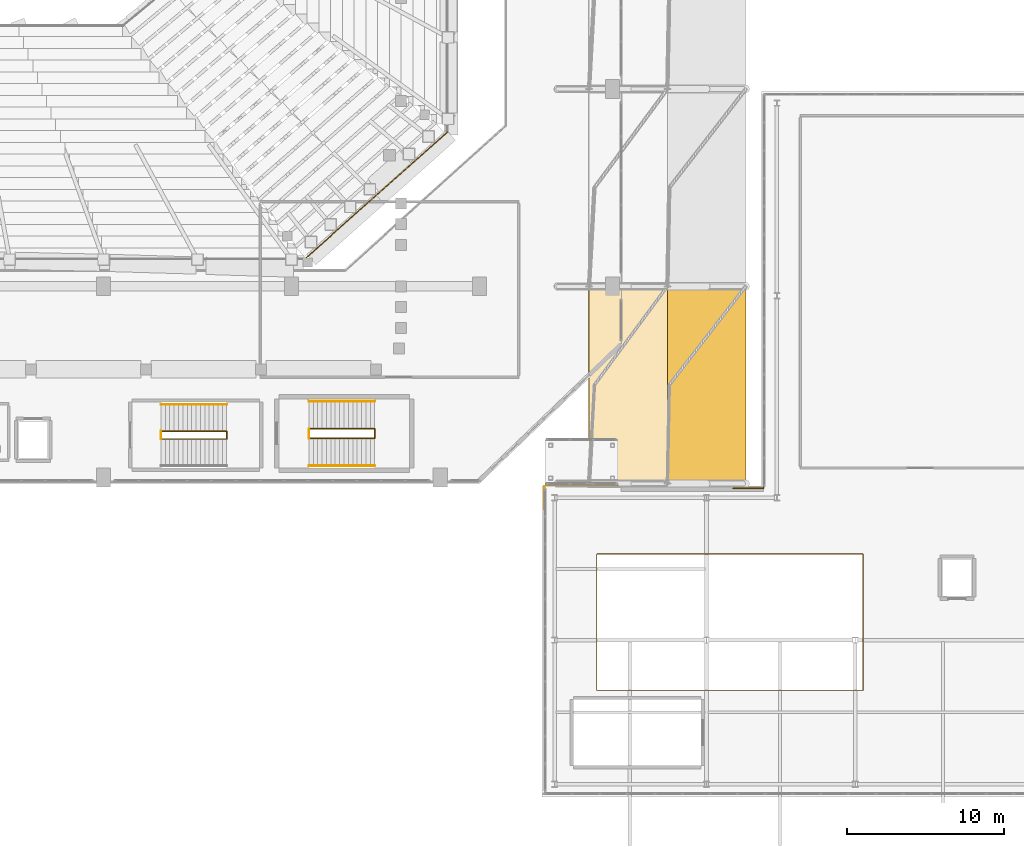
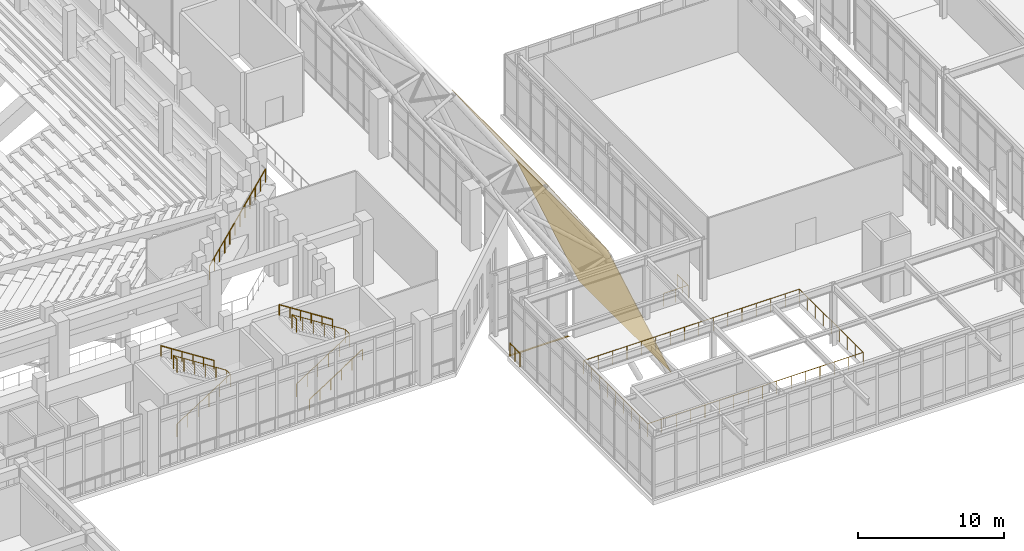
# One storey, part 148 of 159: 11 railings, 3 coverings.
"""IFC4 building model written with IfcOpenShell, lengths in metres."""

from ifc_helpers import new_model, si_unit, derived_unit, direction, frame, origin, origin_2d, place, context, subcontext, project, spatial, polyline, circle, outline, extrude, material, layer, layer_set, type_object, element, save


model = new_model("IFC4")

# Units and contexts
model_context = context("Model", 3, precision=1e-05, world=origin(), true_north=direction((0.0, 1.0)))
body_context = subcontext(model_context, "Body", "Model", "MODEL_VIEW")
ifc_project = project(units=[si_unit("LENGTHUNIT", "METRE"), si_unit("AREAUNIT", "SQUARE_METRE"), si_unit("VOLUMEUNIT", "CUBIC_METRE"), si_unit("PLANEANGLEUNIT", "RADIAN"), si_unit("MASSUNIT", "GRAM", prefix="KILO"), derived_unit("THERMALTRANSMITTANCEUNIT", [(si_unit("MASSUNIT", "GRAM", prefix="KILO"), 1), (si_unit("TIMEUNIT", "SECOND"), -3), (si_unit("THERMODYNAMICTEMPERATUREUNIT", "KELVIN"), -1)])], contexts=[model_context])

# Site, building, storey
site_placement = place(None, origin())
site = spatial("IfcSite", under=ifc_project, at=site_placement, CompositionType="ELEMENT")
building_placement = place(site_placement, origin())
building = spatial("IfcBuilding", under=site, at=building_placement, Name="Valcora Ridge Arena", CompositionType="ELEMENT")
storey_placement = place(building_placement, frame((0.0, 0.0, 6.0)))
storey = spatial("IfcBuildingStorey", under=building, at=storey_placement, Name="L01", CompositionType="ELEMENT", Elevation=6.0)

# Coverings
ifc_material_1 = material(Name="Steel ASTM A572 Grade 50", Category="steel")
ifc_layer_1 = layer(ifc_material_1, 0.02001953125, Name="Steel ASTM A572 Grade 50")
ifc_layer_set_1 = layer_set([ifc_layer_1], Name="Steel ASTM A572 Grade 50")
covering_type_1 = type_object("IfcCoveringType", Name="TY-COVERING-COV-SJ-150", PredefinedType="FLOORING", material=ifc_layer_set_1)
covering_1_placement = place(storey_placement, frame((0.0, 0.0, -0.02001953125)))
element("IfcCovering", 1, at=covering_1_placement, inside=storey, type_object=covering_type_1, Name="COV-SJ-150 COV-SJ-0002", PredefinedType="FLOORING", context=body_context, shape_type="SweptSolid", body=[
    extrude(outline(polyline([(98.199951171875, 19.85009765625), (102.85009765625, 19.85009765625), (102.85009765625, 20.0), (98.199951171875, 20.0), (98.199951171875, 19.85009765625)])), origin(), (0.0, 0.0, 1.0), 0.02001953125),
])
ifc_material_2 = material(Name="Weathered zinc-bronze standing-seam metal Grade Z275")
ifc_layer_2 = layer(ifc_material_2, 0.0400390625, Name="Weathered zinc-bronze standing-seam metal Grade Z275")
ifc_layer_set_2 = layer_set([ifc_layer_2], Name="Weathered zinc-bronze standing-seam metal Grade Z275")
covering_type_2 = type_object("IfcCoveringType", Name="TY-COVERING-COV-ZINC-SKIRT", PredefinedType="ROOFING", material=ifc_layer_set_2)
covering_2_placement = place(storey_placement, frame((101.0, 20.0, 13.49365234375), z_axis=(0.831958588032, 0.0, 0.554837731053), x_axis=(0.554837731053, 0.0, -0.831958588032)))
element("IfcCovering", 2, at=covering_2_placement, inside=storey, type_object=covering_type_2, Name="COV-ZINC-SKIRT COV-RF-0013", PredefinedType="ROOFING", context=body_context, shape_type="SweptSolid", body=[
    extrude(outline(polyline([(0.0, 0.0), (9.0116438017177, 0.0), (9.0116438017177, 12.60009765625), (0.0, 12.60009765625), (0.0, 0.0)])), origin(), (0.0, 0.0, -1.0), 0.0400390625),
])
covering_3_placement = place(storey_placement, frame((106.0, 20.0, 5.996337890625), z_axis=(0.922302243293, 0.0, 0.386469367501), x_axis=(0.386469367501, 0.0, -0.922302243293)))
element("IfcCovering", 3, at=covering_3_placement, inside=storey, type_object=covering_type_2, Name="COV-ZINC-SKIRT COV-RF-0014", PredefinedType="ROOFING", context=body_context, shape_type="SweptSolid", body=[
    extrude(outline(polyline([(0.0, 0.0), (12.963536535956582, 0.0), (12.963536535956582, 12.600097656250004), (0.0, 12.600097656250004), (0.0, 0.0)])), origin(), (0.0, 0.0, -1.0), 0.0400390625),
])

# Railings
ifc_material_3 = material(Name="Galvanized painted steel ASTM A500 Grade B", Category="steel")
railing_type_1 = type_object("IfcRailingType", Name="TY-RAILING-GRD-STAIR-1120", PredefinedType="GUARDRAIL", material=ifc_material_3)
railing_1_placement = place(storey_placement, frame((83.110107421875, 22.89990234375, 0.0)))
element("IfcRailing", 4, at=railing_1_placement, inside=storey, type_object=railing_type_1, Name="GRD-STAIR-1120 RAL-SG-0017", PredefinedType="GUARDRAIL", context=body_context, shape_type="SweptSolid", body=[
    extrude(circle(Radius=0.02392578125, at=origin_2d()), frame((0.0, 0.0, 1.09619140625), z_axis=(0.841180064094, 0.0, 0.540755119968), x_axis=(0.0, 1.0, 0.0)), (0.0, 0.0, 1.0), 4.992919921875),
    extrude(circle(Radius=0.02392578125, at=origin_2d()), frame((4.199951171875, 0.0, 3.7958984375), z_axis=(0.0, 1.0, 0.0), x_axis=(-1.0, 0.0, 0.0)), (0.0, 0.0, 1.0), 0.60009765625),
    extrude(circle(Radius=0.02392578125, at=origin_2d()), frame((4.199951171875, 0.60009765625, 3.7958984375), z_axis=(-0.841180064094, 0.0, 0.540755119968), x_axis=(0.0, -1.0, 0.0)), (0.0, 0.0, 1.0), 4.992919921875),
    extrude(circle(Radius=0.02099609375, at=origin_2d()), origin(), (0.0, 0.0, 1.0), 1.072021484375),
    extrude(circle(Radius=0.02099609375, at=origin_2d()), frame((0.840087890625, 0.0, 0.5400390625)), (0.0, 0.0, 1.0), 1.072021484375),
    extrude(circle(Radius=0.02099609375, at=origin_2d()), frame((1.679931640625, 0.0, 1.080078125)), (0.0, 0.0, 1.0), 1.072021484375),
    extrude(circle(Radius=0.02099609375, at=origin_2d()), frame((2.52001953125, 0.0, 1.619873046875)), (0.0, 0.0, 1.0), 1.072021484375),
    extrude(circle(Radius=0.02099609375, at=origin_2d()), frame((3.35986328125, 0.0, 2.159912109375)), (0.0, 0.0, 1.0), 1.072021484375),
    extrude(circle(Radius=0.02099609375, at=origin_2d()), frame((4.199951171875, 0.0, 2.699951171875)), (0.0, 0.0, 1.0), 1.072021484375),
    extrude(circle(Radius=0.02099609375, at=origin_2d()), frame((4.199951171875, 0.60009765625, 2.699951171875)), (0.0, 0.0, 1.0), 1.072021484375),
    extrude(circle(Radius=0.02099609375, at=origin_2d()), frame((3.35986328125, 0.60009765625, 3.239990234375)), (0.0, 0.0, 1.0), 1.072021484375),
    extrude(circle(Radius=0.02099609375, at=origin_2d()), frame((2.52001953125, 0.60009765625, 3.780029296875)), (0.0, 0.0, 1.0), 1.072021484375),
    extrude(circle(Radius=0.02099609375, at=origin_2d()), frame((1.679931640625, 0.60009765625, 4.31982421875)), (0.0, 0.0, 1.0), 1.072021484375),
    extrude(circle(Radius=0.02099609375, at=origin_2d()), frame((0.840087890625, 0.60009765625, 4.85986328125)), (0.0, 0.0, 1.0), 1.072021484375),
    extrude(circle(Radius=0.02099609375, at=origin_2d()), frame((0.0, 0.60009765625, 5.39990234375)), (0.0, 0.0, 1.0), 1.072021484375),
])
railing_2_placement = place(storey_placement, frame((83.110107421875, 22.89990234375, 5.39990234375)))
element("IfcRailing", 5, at=railing_2_placement, inside=storey, type_object=railing_type_1, Name="GRD-STAIR-1120 RAL-SG-0018", PredefinedType="GUARDRAIL", context=body_context, shape_type="SweptSolid", body=[
    extrude(circle(Radius=0.02392578125, at=origin_2d()), frame((0.0, 0.0, 1.09619140625), z_axis=(0.0, 1.0, 0.0), x_axis=(-1.0, 0.0, 0.0)), (0.0, 0.0, 1.0), 0.60009765625),
    extrude(circle(Radius=0.02099609375, at=origin_2d()), origin(), (0.0, 0.0, 1.0), 1.072021484375),
    extrude(circle(Radius=0.02099609375, at=origin_2d()), frame((0.0, 0.60009765625, 0.0)), (0.0, 0.0, 1.0), 1.072021484375),
])
railing_3_placement = place(storey_placement, frame((73.659912109375, 22.85009765625, 0.0)))
element("IfcRailing", 6, at=railing_3_placement, inside=storey, type_object=railing_type_1, Name="GRD-STAIR-1120 RAL-SG-0107", PredefinedType="GUARDRAIL", context=body_context, shape_type="SweptSolid", body=[
    extrude(circle(Radius=0.02392578125, at=origin_2d()), frame((0.0, 0.0, 1.09619140625), z_axis=(0.841194361566, 0.0, 0.540732878665), x_axis=(0.0, 1.0, 0.0)), (0.0, 0.0, 1.0), 4.9931640625),
    extrude(circle(Radius=0.02392578125, at=origin_2d()), frame((4.2001953125, 0.0, 3.7958984375), z_axis=(0.0, 1.0, 0.0), x_axis=(-1.0, 0.0, 0.0)), (0.0, 0.0, 1.0), 0.5),
    extrude(circle(Radius=0.02392578125, at=origin_2d()), frame((4.2001953125, 0.5, 3.7958984375), z_axis=(-0.841194361566, 0.0, 0.540732878665), x_axis=(0.0, -1.0, 0.0)), (0.0, 0.0, 1.0), 4.9931640625),
    extrude(circle(Radius=0.02099609375, at=origin_2d()), origin(), (0.0, 0.0, 1.0), 1.072021484375),
    extrude(circle(Radius=0.02099609375, at=origin_2d()), frame((0.840087890625, 0.0, 0.5400390625)), (0.0, 0.0, 1.0), 1.072021484375),
    extrude(circle(Radius=0.02099609375, at=origin_2d()), frame((1.68017578125, 0.0, 1.080078125)), (0.0, 0.0, 1.0), 1.072021484375),
    extrude(circle(Radius=0.02099609375, at=origin_2d()), frame((2.52001953125, 0.0, 1.619873046875)), (0.0, 0.0, 1.0), 1.072021484375),
    extrude(circle(Radius=0.02099609375, at=origin_2d()), frame((3.360107421875, 0.0, 2.159912109375)), (0.0, 0.0, 1.0), 1.072021484375),
    extrude(circle(Radius=0.02099609375, at=origin_2d()), frame((4.2001953125, 0.0, 2.699951171875)), (0.0, 0.0, 1.0), 1.072021484375),
    extrude(circle(Radius=0.02099609375, at=origin_2d()), frame((4.2001953125, 0.5, 2.699951171875)), (0.0, 0.0, 1.0), 1.072021484375),
    extrude(circle(Radius=0.02099609375, at=origin_2d()), frame((3.360107421875, 0.5, 3.239990234375)), (0.0, 0.0, 1.0), 1.072021484375),
    extrude(circle(Radius=0.02099609375, at=origin_2d()), frame((2.52001953125, 0.5, 3.780029296875)), (0.0, 0.0, 1.0), 1.072021484375),
    extrude(circle(Radius=0.02099609375, at=origin_2d()), frame((1.68017578125, 0.5, 4.31982421875)), (0.0, 0.0, 1.0), 1.072021484375),
    extrude(circle(Radius=0.02099609375, at=origin_2d()), frame((0.840087890625, 0.5, 4.85986328125)), (0.0, 0.0, 1.0), 1.072021484375),
    extrude(circle(Radius=0.02099609375, at=origin_2d()), frame((0.0, 0.5, 5.39990234375)), (0.0, 0.0, 1.0), 1.072021484375),
])
railing_4_placement = place(storey_placement, frame((73.659912109375, 22.85009765625, 5.39990234375)))
element("IfcRailing", 7, at=railing_4_placement, inside=storey, type_object=railing_type_1, Name="GRD-STAIR-1120 RAL-SG-0108", PredefinedType="GUARDRAIL", context=body_context, shape_type="SweptSolid", body=[
    extrude(circle(Radius=0.02392578125, at=origin_2d()), frame((0.0, 0.0, 1.09619140625), z_axis=(0.0, 1.0, 0.0), x_axis=(-1.0, 0.0, 0.0)), (0.0, 0.0, 1.0), 0.5),
    extrude(circle(Radius=0.02099609375, at=origin_2d()), origin(), (0.0, 0.0, 1.0), 1.072021484375),
    extrude(circle(Radius=0.02099609375, at=origin_2d()), frame((0.0, 0.5, 0.0)), (0.0, 0.0, 1.0), 1.072021484375),
])
railing_type_2 = type_object("IfcRailingType", Name="TY-RAILING-GRD-VOID-1120", PredefinedType="GUARDRAIL", material=ifc_material_3)
railing_5_placement = place(storey_placement, frame((82.85009765625, 34.35009765625, 2.9599609375)))
element("IfcRailing", 8, at=railing_5_placement, inside=storey, type_object=railing_type_2, Name="GRD-VOID-1120 RAL-BW-0010", PredefinedType="GUARDRAIL", context=body_context, shape_type="SweptSolid", body=[
    extrude(circle(Radius=0.02392578125, at=origin_2d()), frame((0.0, 0.0, 1.09619140625), z_axis=(0.746956928935, 0.664872428602, 0.0), x_axis=(-0.664872428602, 0.746956928935, 0.0)), (0.0, 0.0, 1.0), 12.1826171875),
    extrude(circle(Radius=0.02099609375, at=origin_2d()), origin(), (0.0, 0.0, 1.0), 1.072021484375),
    extrude(circle(Radius=0.02099609375, at=origin_2d()), frame((0.8271484375, 0.736328125, 0.0)), (0.0, 0.0, 1.0), 1.072021484375),
    extrude(circle(Radius=0.02099609375, at=origin_2d()), frame((1.654541015625, 1.47265625, 0.0)), (0.0, 0.0, 1.0), 1.072021484375),
    extrude(circle(Radius=0.02099609375, at=origin_2d()), frame((2.481689453125, 2.208984375, 0.0)), (0.0, 0.0, 1.0), 1.072021484375),
    extrude(circle(Radius=0.02099609375, at=origin_2d()), frame((3.30908203125, 2.9453125, 0.0)), (0.0, 0.0, 1.0), 1.072021484375),
    extrude(circle(Radius=0.02099609375, at=origin_2d()), frame((4.13623046875, 3.681640625, 0.0)), (0.0, 0.0, 1.0), 1.072021484375),
    extrude(circle(Radius=0.02099609375, at=origin_2d()), frame((4.963623046875, 4.418212890625, 0.0)), (0.0, 0.0, 1.0), 1.072021484375),
    extrude(circle(Radius=0.02099609375, at=origin_2d()), frame((5.790771484375, 5.154541015625, 0.0)), (0.0, 0.0, 1.0), 1.072021484375),
    extrude(circle(Radius=0.02099609375, at=origin_2d()), frame((6.6181640625, 5.890869140625, 0.0)), (0.0, 0.0, 1.0), 1.072021484375),
    extrude(circle(Radius=0.02099609375, at=origin_2d()), frame((7.4453125, 6.627197265625, 0.0)), (0.0, 0.0, 1.0), 1.072021484375),
    extrude(circle(Radius=0.02099609375, at=origin_2d()), frame((8.272705078125, 7.363525390625, 0.0)), (0.0, 0.0, 1.0), 1.072021484375),
    extrude(circle(Radius=0.02099609375, at=origin_2d()), frame((9.099853515625, 8.099853515625, 0.0)), (0.0, 0.0, 1.0), 1.072021484375),
])
railing_6_placement = place(storey_placement, frame((101.5, 6.800048828125, 0.0)))
element("IfcRailing", 9, at=railing_6_placement, inside=storey, type_object=railing_type_2, Name="GRD-VOID-1120 RAL-DK-0001", PredefinedType="GUARDRAIL", context=body_context, shape_type="SweptSolid", body=[
    extrude(circle(Radius=0.02392578125, at=origin_2d()), frame((0.0, 0.0, 1.09619140625), z_axis=(1.0, 0.0, 0.0), x_axis=(0.0, 1.0, 0.0)), (0.0, 0.0, 1.0), 17.0),
    extrude(circle(Radius=0.02392578125, at=origin_2d()), frame((17.0, 0.0, 1.09619140625), z_axis=(0.0, 1.0, 0.0), x_axis=(-1.0, 0.0, 0.0)), (0.0, 0.0, 1.0), 8.699951171875),
    extrude(circle(Radius=0.02392578125, at=origin_2d()), frame((17.0, 8.699951171875, 1.09619140625), z_axis=(-1.0, 0.0, 0.0), x_axis=(0.0, -1.0, 0.0)), (0.0, 0.0, 1.0), 17.0),
    extrude(circle(Radius=0.02392578125, at=origin_2d()), frame((0.0, 8.699951171875, 1.09619140625), z_axis=(0.0, -1.0, 0.0), x_axis=(1.0, 0.0, 0.0)), (0.0, 0.0, 1.0), 8.699951171875),
    extrude(circle(Radius=0.02099609375, at=origin_2d()), origin(), (0.0, 0.0, 1.0), 1.072021484375),
    extrude(circle(Radius=0.02099609375, at=origin_2d()), frame((1.13330078125, 0.0, 0.0)), (0.0, 0.0, 1.0), 1.072021484375),
    extrude(circle(Radius=0.02099609375, at=origin_2d()), frame((2.2666015625, 0.0, 0.0)), (0.0, 0.0, 1.0), 1.072021484375),
    extrude(circle(Radius=0.02099609375, at=origin_2d()), frame((3.39990234375, 0.0, 0.0)), (0.0, 0.0, 1.0), 1.072021484375),
    extrude(circle(Radius=0.02099609375, at=origin_2d()), frame((4.533447265625, 0.0, 0.0)), (0.0, 0.0, 1.0), 1.072021484375),
    extrude(circle(Radius=0.02099609375, at=origin_2d()), frame((5.666748046875, 0.0, 0.0)), (0.0, 0.0, 1.0), 1.072021484375),
    extrude(circle(Radius=0.02099609375, at=origin_2d()), frame((6.800048828125, 0.0, 0.0)), (0.0, 0.0, 1.0), 1.072021484375),
    extrude(circle(Radius=0.02099609375, at=origin_2d()), frame((7.933349609375, 0.0, 0.0)), (0.0, 0.0, 1.0), 1.072021484375),
    extrude(circle(Radius=0.02099609375, at=origin_2d()), frame((9.066650390625, 0.0, 0.0)), (0.0, 0.0, 1.0), 1.072021484375),
    extrude(circle(Radius=0.02099609375, at=origin_2d()), frame((10.199951171875, 0.0, 0.0)), (0.0, 0.0, 1.0), 1.072021484375),
    extrude(circle(Radius=0.02099609375, at=origin_2d()), frame((11.333251953125, 0.0, 0.0)), (0.0, 0.0, 1.0), 1.072021484375),
    extrude(circle(Radius=0.02099609375, at=origin_2d()), frame((12.466552734375, 0.0, 0.0)), (0.0, 0.0, 1.0), 1.072021484375),
    extrude(circle(Radius=0.02099609375, at=origin_2d()), frame((13.60009765625, 0.0, 0.0)), (0.0, 0.0, 1.0), 1.072021484375),
    extrude(circle(Radius=0.02099609375, at=origin_2d()), frame((14.7333984375, 0.0, 0.0)), (0.0, 0.0, 1.0), 1.072021484375),
    extrude(circle(Radius=0.02099609375, at=origin_2d()), frame((15.86669921875, 0.0, 0.0)), (0.0, 0.0, 1.0), 1.072021484375),
    extrude(circle(Radius=0.02099609375, at=origin_2d()), frame((17.0, 0.0, 0.0)), (0.0, 0.0, 1.0), 1.072021484375),
    extrude(circle(Radius=0.02099609375, at=origin_2d()), frame((17.0, 1.08740234375, 0.0)), (0.0, 0.0, 1.0), 1.072021484375),
    extrude(circle(Radius=0.02099609375, at=origin_2d()), frame((17.0, 2.175048828125, 0.0)), (0.0, 0.0, 1.0), 1.072021484375),
    extrude(circle(Radius=0.02099609375, at=origin_2d()), frame((17.0, 3.262451171875, 0.0)), (0.0, 0.0, 1.0), 1.072021484375),
    extrude(circle(Radius=0.02099609375, at=origin_2d()), frame((17.0, 4.35009765625, 0.0)), (0.0, 0.0, 1.0), 1.072021484375),
    extrude(circle(Radius=0.02099609375, at=origin_2d()), frame((17.0, 5.4375, 0.0)), (0.0, 0.0, 1.0), 1.072021484375),
    extrude(circle(Radius=0.02099609375, at=origin_2d()), frame((17.0, 6.52490234375, 0.0)), (0.0, 0.0, 1.0), 1.072021484375),
    extrude(circle(Radius=0.02099609375, at=origin_2d()), frame((17.0, 7.612548828125, 0.0)), (0.0, 0.0, 1.0), 1.072021484375),
    extrude(circle(Radius=0.02099609375, at=origin_2d()), frame((17.0, 8.699951171875, 0.0)), (0.0, 0.0, 1.0), 1.072021484375),
    extrude(circle(Radius=0.02099609375, at=origin_2d()), frame((15.86669921875, 8.699951171875, 0.0)), (0.0, 0.0, 1.0), 1.072021484375),
    extrude(circle(Radius=0.02099609375, at=origin_2d()), frame((14.7333984375, 8.699951171875, 0.0)), (0.0, 0.0, 1.0), 1.072021484375),
    extrude(circle(Radius=0.02099609375, at=origin_2d()), frame((13.60009765625, 8.699951171875, 0.0)), (0.0, 0.0, 1.0), 1.072021484375),
    extrude(circle(Radius=0.02099609375, at=origin_2d()), frame((12.466552734375, 8.699951171875, 0.0)), (0.0, 0.0, 1.0), 1.072021484375),
    extrude(circle(Radius=0.02099609375, at=origin_2d()), frame((11.333251953125, 8.699951171875, 0.0)), (0.0, 0.0, 1.0), 1.072021484375),
    extrude(circle(Radius=0.02099609375, at=origin_2d()), frame((10.199951171875, 8.699951171875, 0.0)), (0.0, 0.0, 1.0), 1.072021484375),
    extrude(circle(Radius=0.02099609375, at=origin_2d()), frame((9.066650390625, 8.699951171875, 0.0)), (0.0, 0.0, 1.0), 1.072021484375),
    extrude(circle(Radius=0.02099609375, at=origin_2d()), frame((7.933349609375, 8.699951171875, 0.0)), (0.0, 0.0, 1.0), 1.072021484375),
    extrude(circle(Radius=0.02099609375, at=origin_2d()), frame((6.800048828125, 8.699951171875, 0.0)), (0.0, 0.0, 1.0), 1.072021484375),
    extrude(circle(Radius=0.02099609375, at=origin_2d()), frame((5.666748046875, 8.699951171875, 0.0)), (0.0, 0.0, 1.0), 1.072021484375),
    extrude(circle(Radius=0.02099609375, at=origin_2d()), frame((4.533447265625, 8.699951171875, 0.0)), (0.0, 0.0, 1.0), 1.072021484375),
    extrude(circle(Radius=0.02099609375, at=origin_2d()), frame((3.39990234375, 8.699951171875, 0.0)), (0.0, 0.0, 1.0), 1.072021484375),
    extrude(circle(Radius=0.02099609375, at=origin_2d()), frame((2.2666015625, 8.699951171875, 0.0)), (0.0, 0.0, 1.0), 1.072021484375),
    extrude(circle(Radius=0.02099609375, at=origin_2d()), frame((1.13330078125, 8.699951171875, 0.0)), (0.0, 0.0, 1.0), 1.072021484375),
    extrude(circle(Radius=0.02099609375, at=origin_2d()), frame((0.0, 8.699951171875, 0.0)), (0.0, 0.0, 1.0), 1.072021484375),
    extrude(circle(Radius=0.02099609375, at=origin_2d()), frame((0.0, 7.612548828125, 0.0)), (0.0, 0.0, 1.0), 1.072021484375),
    extrude(circle(Radius=0.02099609375, at=origin_2d()), frame((0.0, 6.52490234375, 0.0)), (0.0, 0.0, 1.0), 1.072021484375),
    extrude(circle(Radius=0.02099609375, at=origin_2d()), frame((0.0, 5.4375, 0.0)), (0.0, 0.0, 1.0), 1.072021484375),
    extrude(circle(Radius=0.02099609375, at=origin_2d()), frame((0.0, 4.35009765625, 0.0)), (0.0, 0.0, 1.0), 1.072021484375),
    extrude(circle(Radius=0.02099609375, at=origin_2d()), frame((0.0, 3.262451171875, 0.0)), (0.0, 0.0, 1.0), 1.072021484375),
    extrude(circle(Radius=0.02099609375, at=origin_2d()), frame((0.0, 2.175048828125, 0.0)), (0.0, 0.0, 1.0), 1.072021484375),
    extrude(circle(Radius=0.02099609375, at=origin_2d()), frame((0.0, 1.08740234375, 0.0)), (0.0, 0.0, 1.0), 1.072021484375),
])
railing_7_placement = place(storey_placement, frame((110.199951171875, 19.699951171875, 0.0)))
element("IfcRailing", 10, at=railing_7_placement, inside=storey, type_object=railing_type_2, Name="GRD-VOID-1120 RAL-DK-0022", PredefinedType="GUARDRAIL", context=body_context, shape_type="SweptSolid", body=[
    extrude(circle(Radius=0.02392578125, at=origin_2d()), frame((0.0, 0.0, 1.09619140625), z_axis=(1.0, 0.0, 0.0), x_axis=(0.0, 1.0, 0.0)), (0.0, 0.0, 1.0), 1.949951171875),
    extrude(circle(Radius=0.02392578125, at=origin_2d()), frame((1.949951171875, 0.0, 1.09619140625), z_axis=(0.0, 1.0, 0.0), x_axis=(-1.0, 0.0, 0.0)), (0.0, 0.0, 1.0), 1.5),
    extrude(circle(Radius=0.02099609375, at=origin_2d()), origin(), (0.0, 0.0, 1.0), 1.072021484375),
    extrude(circle(Radius=0.02099609375, at=origin_2d()), frame((0.97509765625, 0.0, 0.0)), (0.0, 0.0, 1.0), 1.072021484375),
    extrude(circle(Radius=0.02099609375, at=origin_2d()), frame((1.949951171875, 0.0, 0.0)), (0.0, 0.0, 1.0), 1.072021484375),
    extrude(circle(Radius=0.02099609375, at=origin_2d()), frame((1.949951171875, 0.75, 0.0)), (0.0, 0.0, 1.0), 1.072021484375),
    extrude(circle(Radius=0.02099609375, at=origin_2d()), frame((1.949951171875, 1.5, 0.0)), (0.0, 0.0, 1.0), 1.072021484375),
])
railing_8_placement = place(storey_placement, frame((98.14990234375, 18.39990234375, 0.0)))
element("IfcRailing", 11, at=railing_8_placement, inside=storey, type_object=railing_type_2, Name="GRD-VOID-1120 RAL-DK-0023", PredefinedType="GUARDRAIL", context=body_context, shape_type="SweptSolid", body=[
    extrude(circle(Radius=0.02392578125, at=origin_2d()), frame((0.0, 0.0, 1.09619140625), z_axis=(0.0, 1.0, 0.0), x_axis=(-1.0, 0.0, 0.0)), (0.0, 0.0, 1.0), 1.400146484375),
    extrude(circle(Radius=0.02099609375, at=origin_2d()), origin(), (0.0, 0.0, 1.0), 1.072021484375),
    extrude(circle(Radius=0.02099609375, at=origin_2d()), frame((0.0, 0.7001953125, 0.0)), (0.0, 0.0, 1.0), 1.072021484375),
    extrude(circle(Radius=0.02099609375, at=origin_2d()), frame((0.0, 1.400146484375, 0.0)), (0.0, 0.0, 1.0), 1.072021484375),
])
railing_type_3 = type_object("IfcRailingType", Name="TY-RAILING-HR-STAIR-900", PredefinedType="HANDRAIL", material=ifc_material_3)
railing_9_placement = place(storey_placement, frame((83.110107421875, 21.139892578125, 0.0)))
element("IfcRailing", 12, at=railing_9_placement, inside=storey, type_object=railing_type_3, Name="HR-STAIR-900 RAL-SH-0017", PredefinedType="HANDRAIL", context=body_context, shape_type="SweptSolid", body=[
    extrude(circle(Radius=0.02392578125, at=origin_2d()), frame((0.0, 0.0, 0.8759765625), z_axis=(0.841180064094, 0.0, 0.540755119968), x_axis=(0.0, 1.0, 0.0)), (0.0, 0.0, 1.0), 4.992919921875),
    extrude(circle(Radius=0.02099609375, at=origin_2d()), origin(), (0.0, 0.0, 1.0), 0.851806640625),
    extrude(circle(Radius=0.02099609375, at=origin_2d()), frame((0.840087890625, 0.0, 0.5400390625)), (0.0, 0.0, 1.0), 0.851806640625),
    extrude(circle(Radius=0.02099609375, at=origin_2d()), frame((1.679931640625, 0.0, 1.080078125)), (0.0, 0.0, 1.0), 0.851806640625),
    extrude(circle(Radius=0.02099609375, at=origin_2d()), frame((2.52001953125, 0.0, 1.619873046875)), (0.0, 0.0, 1.0), 0.851806640625),
    extrude(circle(Radius=0.02099609375, at=origin_2d()), frame((3.35986328125, 0.0, 2.159912109375)), (0.0, 0.0, 1.0), 0.851806640625),
    extrude(circle(Radius=0.02099609375, at=origin_2d()), frame((4.199951171875, 0.0, 2.699951171875)), (0.0, 0.0, 1.0), 0.851806640625),
])
railing_10_placement = place(storey_placement, frame((87.31005859375, 25.260009765625, 2.699951171875)))
element("IfcRailing", 13, at=railing_10_placement, inside=storey, type_object=railing_type_3, Name="HR-STAIR-900 RAL-SH-0018", PredefinedType="HANDRAIL", context=body_context, shape_type="SweptSolid", body=[
    extrude(circle(Radius=0.02392578125, at=origin_2d()), frame((0.0, 0.0, 0.8759765625), z_axis=(-0.841180064094, 0.0, 0.540755119968), x_axis=(0.0, -1.0, 0.0)), (0.0, 0.0, 1.0), 4.992919921875),
    extrude(circle(Radius=0.02099609375, at=origin_2d()), origin(), (0.0, 0.0, 1.0), 0.851806640625),
    extrude(circle(Radius=0.02099609375, at=origin_2d()), frame((-0.840087890625, 0.0, 0.5400390625)), (0.0, 0.0, 1.0), 0.851806640625),
    extrude(circle(Radius=0.02099609375, at=origin_2d()), frame((-1.679931640625, 0.0, 1.080078125)), (0.0, 0.0, 1.0), 0.851806640625),
    extrude(circle(Radius=0.02099609375, at=origin_2d()), frame((-2.52001953125, 0.0, 1.619873046875)), (0.0, 0.0, 1.0), 0.851806640625),
    extrude(circle(Radius=0.02099609375, at=origin_2d()), frame((-3.35986328125, 0.0, 2.159912109375)), (0.0, 0.0, 1.0), 0.851806640625),
    extrude(circle(Radius=0.02099609375, at=origin_2d()), frame((-4.199951171875, 0.0, 2.699951171875)), (0.0, 0.0, 1.0), 0.851806640625),
])
railing_11_placement = place(storey_placement, frame((77.860107421875, 25.06005859375, 2.699951171875)))
element("IfcRailing", 14, at=railing_11_placement, inside=storey, type_object=railing_type_3, Name="HR-STAIR-900 RAL-SH-0108", PredefinedType="HANDRAIL", context=body_context, shape_type="SweptSolid", body=[
    extrude(circle(Radius=0.02392578125, at=origin_2d()), frame((0.0, 0.0, 0.8759765625), z_axis=(-0.841194361566, 0.0, 0.540732878665), x_axis=(0.0, -1.0, 0.0)), (0.0, 0.0, 1.0), 4.9931640625),
    extrude(circle(Radius=0.02099609375, at=origin_2d()), origin(), (0.0, 0.0, 1.0), 0.851806640625),
    extrude(circle(Radius=0.02099609375, at=origin_2d()), frame((-0.840087890625, 0.0, 0.5400390625)), (0.0, 0.0, 1.0), 0.851806640625),
    extrude(circle(Radius=0.02099609375, at=origin_2d()), frame((-1.68017578125, 0.0, 1.080078125)), (0.0, 0.0, 1.0), 0.851806640625),
    extrude(circle(Radius=0.02099609375, at=origin_2d()), frame((-2.52001953125, 0.0, 1.619873046875)), (0.0, 0.0, 1.0), 0.851806640625),
    extrude(circle(Radius=0.02099609375, at=origin_2d()), frame((-3.360107421875, 0.0, 2.159912109375)), (0.0, 0.0, 1.0), 0.851806640625),
    extrude(circle(Radius=0.02099609375, at=origin_2d()), frame((-4.2001953125, 0.0, 2.699951171875)), (0.0, 0.0, 1.0), 0.851806640625),
])

save(model, "model.ifc")
